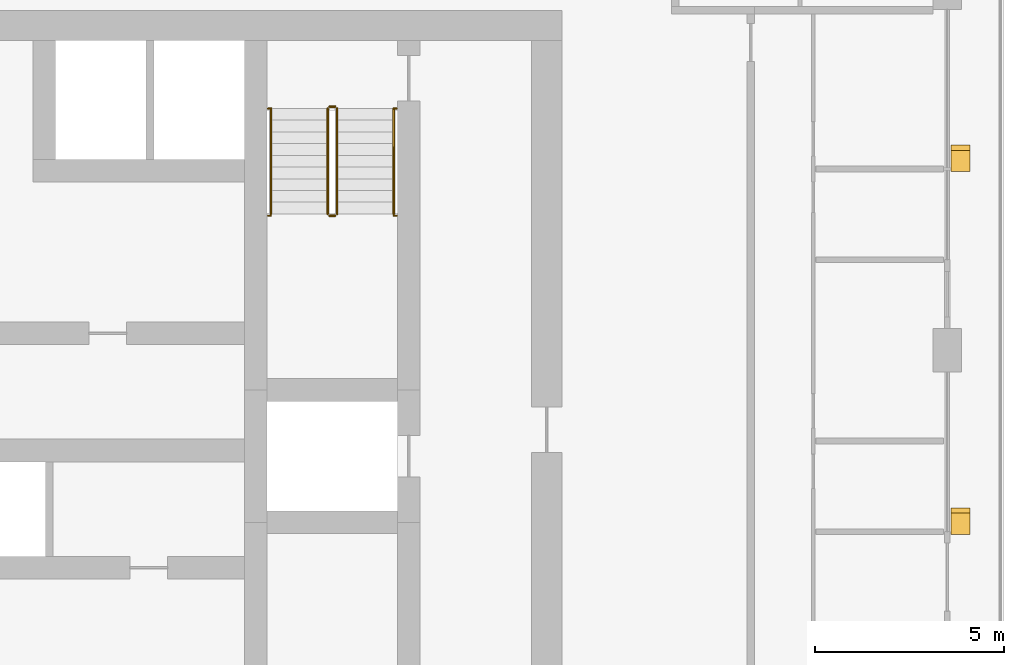
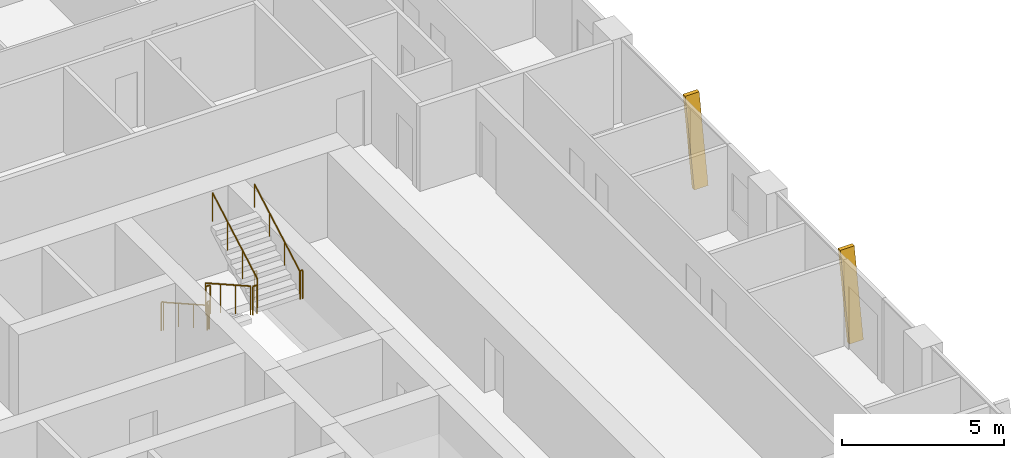
# One storey, part 21 of 22: 10 railings, 2 shading devices.
"""IFC4 building model written with IfcOpenShell, lengths in metres."""

from ifc_helpers import new_model, si_unit, direction, frame, origin, origin_2d, place, context, subcontext, project, spatial, polyline, circle, outline, extrude, material, type_object, element, save


model = new_model("IFC4")

# Units and contexts
model_context = context("Model", 3, precision=1e-05, world=origin(), true_north=direction((0.0, 1.0)))
body_context = subcontext(model_context, "Body", "Model", "MODEL_VIEW")
ifc_project = project(units=[si_unit("LENGTHUNIT", "METRE"), si_unit("AREAUNIT", "SQUARE_METRE"), si_unit("VOLUMEUNIT", "CUBIC_METRE"), si_unit("PLANEANGLEUNIT", "RADIAN"), si_unit("MASSUNIT", "GRAM", prefix="KILO")], contexts=[model_context])

# Site, building, storey
site_placement = place(None, origin())
site = spatial("IfcSite", under=ifc_project, at=site_placement, CompositionType="ELEMENT")
building_placement = place(site_placement, origin())
building = spatial("IfcBuilding", under=site, at=building_placement, Name="Madar Terraces", CompositionType="ELEMENT")
storey_placement = place(building_placement, frame((0.0, 0.0, 129.60009765625)))
storey = spatial("IfcBuildingStorey", under=building, at=storey_placement, Name="L33", CompositionType="ELEMENT", Elevation=129.60009765625)

# Shading devices
ifc_material_1 = material(Name="Aluminium, black anodised", Category="aluminium")
shading_device_type = type_object("IfcShadingDeviceType", Name="Facade fin blade 140 x 500", PredefinedType="USERDEFINED", material=ifc_material_1)
shading_device_1_placement = place(storey_placement, frame((57.949951171875, 23.929931640625, 0.0), z_axis=(0.0, 0.0, 1.0), x_axis=(0.0, 1.0, 0.0)))
element("IfcShadingDevice", 1, at=shading_device_1_placement, inside=storey, type_object=shading_device_type, Name="FIN L33 E2", ObjectType="FIN", PredefinedType="USERDEFINED", context=body_context, shape_type="SweptSolid", body=[
    extrude(outline(polyline([(0.0, 0.0), (0.14013671875, 0.0), (0.704345703125, 3.199951171875), (0.564208984375, 3.199951171875), (0.0, 0.0)])), frame((0.0, 0.25, 0.0), z_axis=(0.0, -1.0, 0.0), x_axis=(1.0, 0.0, 0.0)), (0.0, 0.0, 1.0), 0.5),
])
shading_device_2_placement = place(storey_placement, frame((57.949951171875, 33.530029296875, 0.0), z_axis=(0.0, 0.0, 1.0), x_axis=(0.0, 1.0, 0.0)))
element("IfcShadingDevice", 2, at=shading_device_2_placement, inside=storey, type_object=shading_device_type, Name="FIN L33 E3", ObjectType="FIN", PredefinedType="USERDEFINED", context=body_context, shape_type="SweptSolid", body=[
    extrude(outline(polyline([(0.0, 0.0), (0.139892578125, 0.0), (0.704345703125, 3.199951171875), (0.564208984375, 3.199951171875), (0.0, 0.0)])), frame((0.0, 0.25, 0.0), z_axis=(0.0, -1.0, 0.0), x_axis=(1.0, 0.0, 0.0)), (0.0, 0.0, 1.0), 0.5),
])

# Railings
ifc_material_2 = material(Name="Stainless steel railing", Category="steel")
railing_type_1 = type_object("IfcRailingType", Name="Stair guard 1100", PredefinedType="GUARDRAIL", material=ifc_material_2)
railing_1_placement = place(storey_placement, frame((41.199951171875, 35.199951171875, 0.1748046875)))
element("IfcRailing", 3, at=railing_1_placement, inside=storey, type_object=railing_type_1, Name="L33 ST2 stair guard 1", PredefinedType="GUARDRAIL", context=body_context, shape_type="SweptSolid", body=[
    extrude(circle(Radius=0.02392578125, at=origin_2d()), frame((0.0, 0.0, 1.076171875), z_axis=(0.0, -0.870801158333, 0.491635375706), x_axis=(1.0, 0.0, 0.0)), (0.0, 0.0, 1.0), 3.2041015625),
    extrude(circle(Radius=0.02099609375, at=origin_2d()), origin(), (0.0, 0.0, 1.0), 1.052001953125),
    extrude(circle(Radius=0.02099609375, at=origin_2d()), frame((0.0, -0.929931640625, 0.525146484375)), (0.0, 0.0, 1.0), 1.052001953125),
    extrude(circle(Radius=0.02099609375, at=origin_2d()), frame((0.0, -1.860107421875, 1.050048828125)), (0.0, 0.0, 1.0), 1.052001953125),
    extrude(circle(Radius=0.02099609375, at=origin_2d()), frame((0.0, -2.7900390625, 1.5751953125)), (0.0, 0.0, 1.0), 1.052001953125),
])
railing_2_placement = place(storey_placement, frame((41.25, 32.360107421875, 1.75)))
element("IfcRailing", 4, at=railing_2_placement, inside=storey, type_object=railing_type_1, Name="L33 ST2 stair guard 2", PredefinedType="GUARDRAIL", context=body_context, shape_type="SweptSolid", body=[
    extrude(circle(Radius=0.02392578125, at=origin_2d()), frame((0.0, 0.0, 1.076171875), z_axis=(1.0, 0.0, 0.0), x_axis=(0.0, 1.0, 0.0)), (0.0, 0.0, 1.0), 0.14990234375),
    extrude(circle(Radius=0.02099609375, at=origin_2d()), origin(), (0.0, 0.0, 1.0), 1.052001953125),
    extrude(circle(Radius=0.02099609375, at=origin_2d()), frame((0.14990234375, 0.0, 0.0)), (0.0, 0.0, 1.0), 1.052001953125),
])
railing_3_placement = place(storey_placement, frame((41.449951171875, 32.409912109375, 1.9248046875)))
element("IfcRailing", 5, at=railing_3_placement, inside=storey, type_object=railing_type_1, Name="L33 ST2 stair guard 3", PredefinedType="GUARDRAIL", context=body_context, shape_type="SweptSolid", body=[
    extrude(circle(Radius=0.02392578125, at=origin_2d()), frame((0.0, 0.0, 1.076171875), z_axis=(0.0, 0.870801158333, 0.491635375706), x_axis=(-1.0, 0.0, 0.0)), (0.0, 0.0, 1.0), 3.2041015625),
    extrude(circle(Radius=0.02099609375, at=origin_2d()), origin(), (0.0, 0.0, 1.0), 1.052001953125),
    extrude(circle(Radius=0.02099609375, at=origin_2d()), frame((0.0, 0.929931640625, 0.525146484375)), (0.0, 0.0, 1.0), 1.052001953125),
    extrude(circle(Radius=0.02099609375, at=origin_2d()), frame((0.0, 1.860107421875, 1.050048828125)), (0.0, 0.0, 1.0), 1.052001953125),
    extrude(circle(Radius=0.02099609375, at=origin_2d()), frame((0.0, 2.7900390625, 1.5751953125)), (0.0, 0.0, 1.0), 1.052001953125),
])
railing_4_placement = place(storey_placement, frame((41.25, 35.25, 0.0)))
element("IfcRailing", 6, at=railing_4_placement, inside=storey, type_object=railing_type_1, Name="L33 ST2 stair guard 4", PredefinedType="GUARDRAIL", context=body_context, shape_type="SweptSolid", body=[
    extrude(circle(Radius=0.02392578125, at=origin_2d()), frame((0.0, 0.0, 1.076171875), z_axis=(1.0, 0.0, 0.0), x_axis=(0.0, 1.0, 0.0)), (0.0, 0.0, 1.0), 0.14990234375),
    extrude(circle(Radius=0.02099609375, at=origin_2d()), origin(), (0.0, 0.0, 1.0), 1.052001953125),
    extrude(circle(Radius=0.02099609375, at=origin_2d()), frame((0.14990234375, 0.0, 0.0)), (0.0, 0.0, 1.0), 1.052001953125),
])
railing_5_placement = place(storey_placement, frame((39.6201171875, 32.360107421875, 1.75)))
element("IfcRailing", 7, at=railing_5_placement, inside=storey, type_object=railing_type_1, Name="L33 stair guard seat 1", PredefinedType="GUARDRAIL", context=body_context, shape_type="SweptSolid", body=[
    extrude(circle(Radius=0.02392578125, at=origin_2d()), frame((0.0, 0.0, 1.076171875), z_axis=(1.0, 0.0, 0.0), x_axis=(0.0, 1.0, 0.0)), (0.0, 0.0, 1.0), 0.079833984375),
    extrude(circle(Radius=0.02099609375, at=origin_2d()), origin(), (0.0, 0.0, 1.0), 1.052001953125),
    extrude(circle(Radius=0.02099609375, at=origin_2d()), frame((0.079833984375, 0.0, 0.0)), (0.0, 0.0, 1.0), 1.052001953125),
])
railing_6_placement = place(storey_placement, frame((42.949951171875, 32.360107421875, 1.75)))
element("IfcRailing", 8, at=railing_6_placement, inside=storey, type_object=railing_type_1, Name="L33 stair guard seat 2", PredefinedType="GUARDRAIL", context=body_context, shape_type="SweptSolid", body=[
    extrude(circle(Radius=0.02392578125, at=origin_2d()), frame((0.0, 0.0, 1.076171875), z_axis=(1.0, 0.0, 0.0), x_axis=(0.0, 1.0, 0.0)), (0.0, 0.0, 1.0), 0.080078125),
    extrude(circle(Radius=0.02099609375, at=origin_2d()), origin(), (0.0, 0.0, 1.0), 1.052001953125),
    extrude(circle(Radius=0.02099609375, at=origin_2d()), frame((0.080078125, 0.0, 0.0)), (0.0, 0.0, 1.0), 1.052001953125),
])
railing_7_placement = place(storey_placement, frame((39.6201171875, 35.199951171875, 0.0)))
element("IfcRailing", 9, at=railing_7_placement, inside=storey, type_object=railing_type_1, Name="L33 stair guard floor 1", PredefinedType="GUARDRAIL", context=body_context, shape_type="SweptSolid", body=[
    extrude(circle(Radius=0.02392578125, at=origin_2d()), frame((0.0, 0.0, 1.076171875), z_axis=(1.0, 0.0, 0.0), x_axis=(0.0, 1.0, 0.0)), (0.0, 0.0, 1.0), 0.079833984375),
    extrude(circle(Radius=0.02099609375, at=origin_2d()), origin(), (0.0, 0.0, 1.0), 1.052001953125),
    extrude(circle(Radius=0.02099609375, at=origin_2d()), frame((0.079833984375, 0.0, 0.0)), (0.0, 0.0, 1.0), 1.052001953125),
])
railing_8_placement = place(storey_placement, frame((42.949951171875, 35.199951171875, 0.0)))
element("IfcRailing", 10, at=railing_8_placement, inside=storey, type_object=railing_type_1, Name="L33 stair guard floor 2", PredefinedType="GUARDRAIL", context=body_context, shape_type="SweptSolid", body=[
    extrude(circle(Radius=0.02392578125, at=origin_2d()), frame((0.0, 0.0, 1.076171875), z_axis=(1.0, 0.0, 0.0), x_axis=(0.0, 1.0, 0.0)), (0.0, 0.0, 1.0), 0.080078125),
    extrude(circle(Radius=0.02099609375, at=origin_2d()), origin(), (0.0, 0.0, 1.0), 1.052001953125),
    extrude(circle(Radius=0.02099609375, at=origin_2d()), frame((0.080078125, 0.0, 0.0)), (0.0, 0.0, 1.0), 1.052001953125),
])
ifc_material_3 = material(Name="Stainless steel railing", Category="steel")
railing_type_2 = type_object("IfcRailingType", Name="Stair handrail 900", PredefinedType="HANDRAIL", material=ifc_material_3)
railing_9_placement = place(storey_placement, frame((39.699951171875, 35.199951171875, 0.1748046875)))
element("IfcRailing", 11, at=railing_9_placement, inside=storey, type_object=railing_type_2, Name="L33 ST2 stair handrail 1", PredefinedType="HANDRAIL", context=body_context, shape_type="SweptSolid", body=[
    extrude(circle(Radius=0.02392578125, at=origin_2d()), frame((0.0, 0.0, 0.8759765625), z_axis=(0.0, -0.870801158333, 0.491635375706), x_axis=(1.0, 0.0, 0.0)), (0.0, 0.0, 1.0), 3.2041015625),
    extrude(circle(Radius=0.02099609375, at=origin_2d()), origin(), (0.0, 0.0, 1.0), 0.851806640625),
    extrude(circle(Radius=0.02099609375, at=origin_2d()), frame((0.0, -0.929931640625, 0.525146484375)), (0.0, 0.0, 1.0), 0.851806640625),
    extrude(circle(Radius=0.02099609375, at=origin_2d()), frame((0.0, -1.860107421875, 1.050048828125)), (0.0, 0.0, 1.0), 0.851806640625),
    extrude(circle(Radius=0.02099609375, at=origin_2d()), frame((0.0, -2.7900390625, 1.5751953125)), (0.0, 0.0, 1.0), 0.851806640625),
])
railing_10_placement = place(storey_placement, frame((42.949951171875, 32.409912109375, 1.9248046875)))
element("IfcRailing", 12, at=railing_10_placement, inside=storey, type_object=railing_type_2, Name="L33 ST2 stair handrail 2", PredefinedType="HANDRAIL", context=body_context, shape_type="SweptSolid", body=[
    extrude(circle(Radius=0.02392578125, at=origin_2d()), frame((0.0, 0.0, 0.8759765625), z_axis=(0.0, 0.870801158333, 0.491635375706), x_axis=(-1.0, 0.0, 0.0)), (0.0, 0.0, 1.0), 3.2041015625),
    extrude(circle(Radius=0.02099609375, at=origin_2d()), origin(), (0.0, 0.0, 1.0), 0.851806640625),
    extrude(circle(Radius=0.02099609375, at=origin_2d()), frame((0.0, 0.929931640625, 0.525146484375)), (0.0, 0.0, 1.0), 0.851806640625),
    extrude(circle(Radius=0.02099609375, at=origin_2d()), frame((0.0, 1.860107421875, 1.050048828125)), (0.0, 0.0, 1.0), 0.851806640625),
    extrude(circle(Radius=0.02099609375, at=origin_2d()), frame((0.0, 2.7900390625, 1.5751953125)), (0.0, 0.0, 1.0), 0.851806640625),
])

save(model, "model.ifc")
